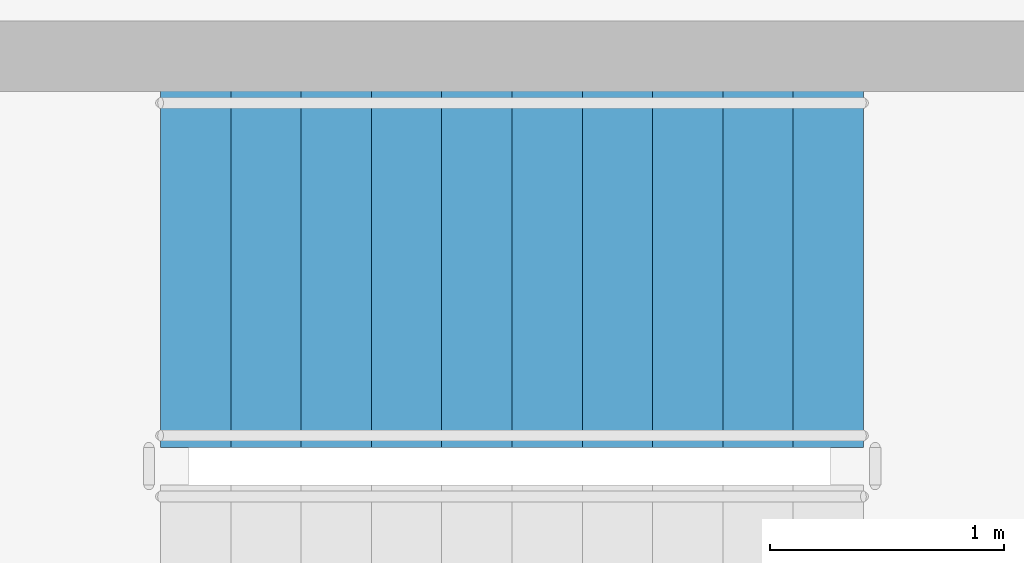
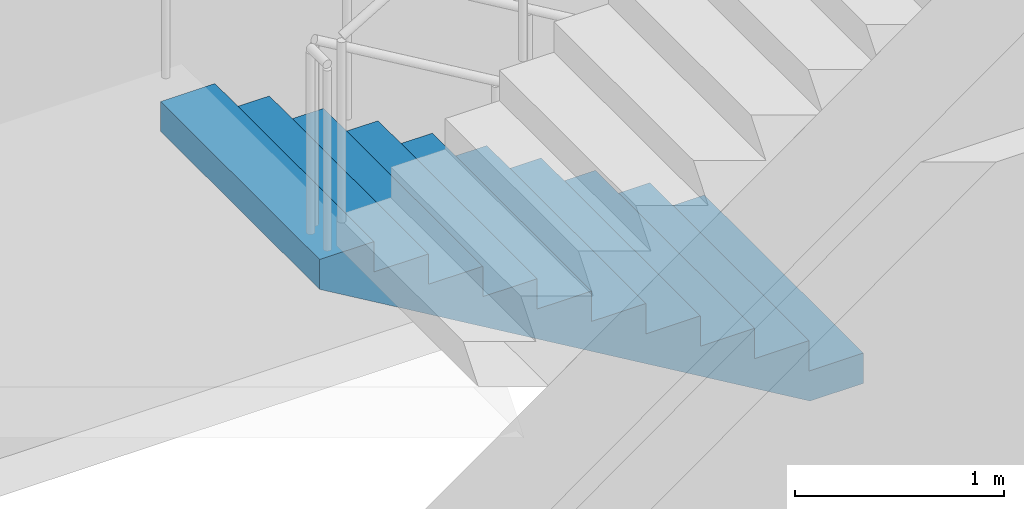
# One storey, part 22 of 28: 1 stair flight, 1 element without a shape of its own.
"""IFC4 building model written with IfcOpenShell, lengths in metres."""

from ifc_helpers import new_model, si_unit, direction, frame, origin, place, context, subcontext, project, spatial, polyline, outline, extrude, material, type_object, element, aggregate, save


model = new_model("IFC4")

# Units and contexts
model_context = context("Model", 3, precision=1e-05, world=origin(), true_north=direction((0.0, 1.0)))
body_context = subcontext(model_context, "Body", "Model", "MODEL_VIEW")
ifc_project = project(units=[si_unit("LENGTHUNIT", "METRE"), si_unit("AREAUNIT", "SQUARE_METRE"), si_unit("VOLUMEUNIT", "CUBIC_METRE"), si_unit("PLANEANGLEUNIT", "RADIAN"), si_unit("MASSUNIT", "GRAM", prefix="KILO")], contexts=[model_context])

# Site, building, storey
site_placement = place(None, origin())
site = spatial("IfcSite", under=ifc_project, at=site_placement, CompositionType="ELEMENT")
building_placement = place(site_placement, origin())
building = spatial("IfcBuilding", under=site, at=building_placement, Name="Cymarion Research Institute", CompositionType="ELEMENT")
storey_placement = place(building_placement, frame((0.0, 0.0, 30.60009765625)))
storey = spatial("IfcBuildingStorey", under=building, at=storey_placement, Name="L07", CompositionType="ELEMENT", Elevation=30.60009765625)

# Stair, stair flight
ifc_material = material(Name="Concrete C35/45", Category="concrete")
stair_type = type_object("IfcStairType", Name="REINFORCED CONCRETE DOGLEG STAIR STR-3900", PredefinedType="HALF_TURN_STAIR", material=ifc_material)
stair_placement = place(storey_placement, origin())
stair = element("IfcStair", 1, at=stair_placement, inside=storey, type_object=stair_type, Name="L07 Core C2 Smoke-Proof Exit Stair ST2", PredefinedType="HALF_TURN_STAIR")
stair_flight_type = type_object("IfcStairFlightType", Name="REINFORCED CONCRETE STAIR FLIGHT SFL-3900", PredefinedType="STRAIGHT", material=ifc_material)
stair_flight_placement = place(storey_placement, frame((152.39990234375, 27.239990234375, 0.0), z_axis=(0.0, 0.0, 1.0), x_axis=(-1.0, 0.0, 0.0)))
stair_flight = element("IfcStairFlight", 2, at=stair_flight_placement, type_object=stair_flight_type, Name="ST2 flight 1", NumberOfRisers=11, NumberOfTreads=10, PredefinedType="STRAIGHT", RiserHeight=0.177272727, TreadLength=0.3, context=body_context, shape_type="SweptSolid", body=[
    extrude(outline(polyline([(0.0, 0.0), (0.0, 0.17724609375), (0.300048828125, 0.17724609375), (0.300048828125, 0.3544921875), (0.60009765625, 0.3544921875), (0.60009765625, 0.53173828125), (0.89990234375, 0.53173828125), (0.89990234375, 0.708984375), (1.199951171875, 0.708984375), (1.199951171875, 0.886474609375), (1.5, 0.886474609375), (1.5, 1.063720703125), (1.800048828125, 1.063720703125), (1.800048828125, 1.240966796875), (2.10009765625, 1.240966796875), (2.10009765625, 1.418212890625), (2.39990234375, 1.418212890625), (2.39990234375, 1.595458984375), (2.699951171875, 1.595458984375), (2.699951171875, 1.772705078125), (3.0, 1.772705078125), (3.0, 1.949951171875), (3.0, 1.5986328125), (0.294677734375, 0.0), (0.0, 0.0)])), frame((0.0, 0.760009765625, 0.0), z_axis=(0.0, -1.0, 0.0), x_axis=(1.0, 0.0, 0.0)), (0.0, 0.0, 1.0), 1.52001953125),
])
aggregate(stair, [stair_flight])

save(model, "model.ifc")
